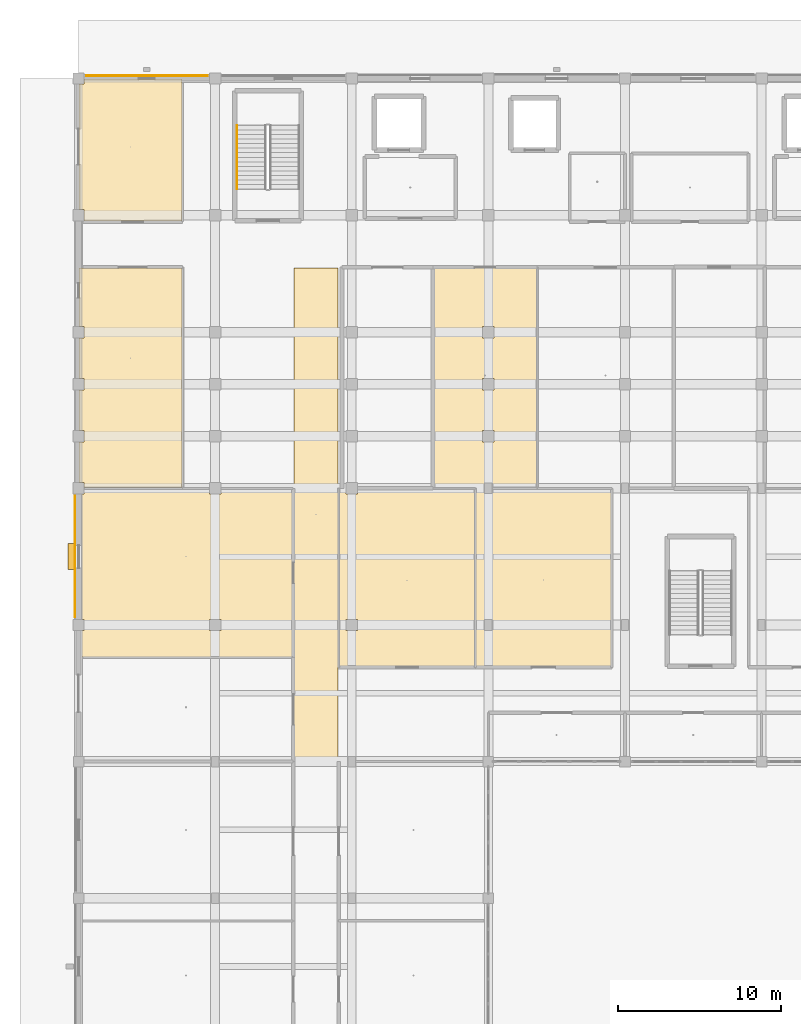
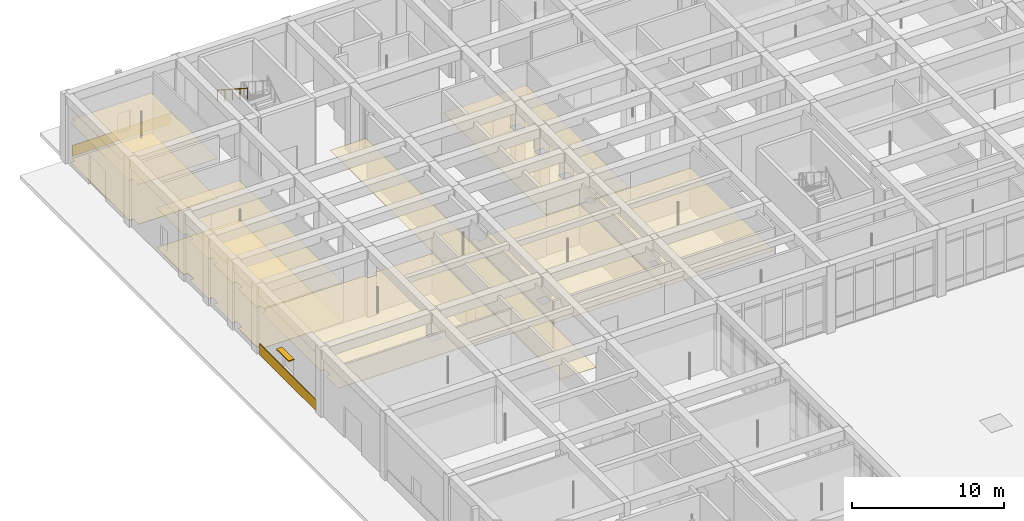
# One storey, part 149 of 167: 11 coverings, 1 railing, 1 shading device.
"""IFC4 building model written with IfcOpenShell, lengths in metres."""

from ifc_helpers import new_model, si_unit, direction, frame, origin, origin_2d, place, context, subcontext, project, spatial, polyline, rectangle, circle, outline, extrude, material, layer, layer_set, type_object, element, save


model = new_model("IFC4")

# Units and contexts
model_context = context("Model", 3, precision=1e-05, world=origin(), true_north=direction((0.0, 1.0)))
body_context = subcontext(model_context, "Body", "Model", "MODEL_VIEW")
ifc_project = project(units=[si_unit("LENGTHUNIT", "METRE"), si_unit("AREAUNIT", "SQUARE_METRE"), si_unit("VOLUMEUNIT", "CUBIC_METRE"), si_unit("PLANEANGLEUNIT", "RADIAN"), si_unit("MASSUNIT", "GRAM", prefix="KILO")], contexts=[model_context])

# Site, building, storey
site_placement = place(None, origin())
site = spatial("IfcSite", under=ifc_project, at=site_placement, CompositionType="ELEMENT")
building_placement = place(site_placement, origin())
building = spatial("IfcBuilding", under=site, at=building_placement, Name="Varncliffe General Hospital", CompositionType="ELEMENT")
storey_placement = place(building_placement, origin())
storey = spatial("IfcBuildingStorey", under=building, at=storey_placement, Name="L00", CompositionType="ELEMENT", Elevation=0.0)

# Coverings
ifc_material_1 = material(Name="Hygienic antimicrobial acoustic suspended ceiling tile", Category="gypsum")
ifc_layer_1 = layer(ifc_material_1, 0.02490234375)
ifc_layer_set_1 = layer_set([ifc_layer_1], Name="Hygienic antimicrobial acoustic suspended ceiling tile")
covering_type_1 = type_object("IfcCoveringType", Name="Antimicrobial Acoustic Suspended Ceiling CLG44", PredefinedType="CEILING", material=ifc_layer_set_1)
covering_1_placement = place(storey_placement, frame((0.0, 0.0, 3.175048828125)))
element("IfcCovering", 1, at=covering_1_placement, inside=storey, type_object=covering_type_1, Name="L00 West Link Corridor L00 Suspended Ceiling", PredefinedType="CEILING", context=body_context, shape_type="SweptSolid", body=[
    extrude(outline(polyline([(15.9599609375, 82.840087890625), (15.9599609375, 113.159912109375), (13.239990234375, 113.159912109375), (13.239990234375, 82.840087890625), (15.9599609375, 82.840087890625)])), origin(), (0.0, 0.0, 1.0), 0.02490234375),
])
covering_2_placement = place(storey_placement, frame((0.0, 0.0, 3.175048828125)))
element("IfcCovering", 2, at=covering_2_placement, inside=storey, type_object=covering_type_1, Name="L00 Diagnostic 3T MRI Imaging Suite 64 Suspended Ceiling", PredefinedType="CEILING", context=body_context, shape_type="SweptSolid", body=[
    extrude(outline(polyline([(24.360107421875, 99.56005859375), (24.360107421875, 88.639892578125), (16.0400390625, 88.639892578125), (16.0400390625, 99.56005859375), (16.449951171875, 99.56005859375), (16.449951171875, 99.25), (17.14990234375, 99.25), (17.14990234375, 99.56005859375), (24.360107421875, 99.56005859375)]), holes=[polyline([(17.14990234375, 90.85009765625), (17.14990234375, 91.550048828125), (16.449951171875, 91.550048828125), (16.449951171875, 90.85009765625), (17.14990234375, 90.85009765625)])]), origin(), (0.0, 0.0, 1.0), 0.02490234375),
])
covering_3_placement = place(storey_placement, frame((0.0, 0.0, 3.175048828125)))
element("IfcCovering", 3, at=covering_3_placement, inside=storey, type_object=covering_type_1, Name="L00 Dual-Source CT Radiology Room 65 Suspended Ceiling", PredefinedType="CEILING", context=body_context, shape_type="SweptSolid", body=[
    extrude(outline(polyline([(32.760009765625, 99.56005859375), (32.760009765625, 88.639892578125), (24.43994140625, 88.639892578125), (24.43994140625, 99.56005859375), (24.97509765625, 99.56005859375), (24.97509765625, 99.27490234375), (25.425048828125, 99.27490234375), (25.425048828125, 99.56005859375), (32.760009765625, 99.56005859375)]), holes=[polyline([(25.425048828125, 90.875), (25.425048828125, 91.52490234375), (24.97509765625, 91.52490234375), (24.97509765625, 90.875), (25.425048828125, 90.875)])]), origin(), (0.0, 0.0, 1.0), 0.02490234375),
])
covering_4_placement = place(storey_placement, frame((0.0, 0.0, 3.175048828125)))
element("IfcCovering", 4, at=covering_4_placement, inside=storey, type_object=covering_type_1, Name="L00 Outpatient Phlebotomy and Pre-Admission Clinic 114 Suspended Ceiling", PredefinedType="CEILING", context=body_context, shape_type="SweptSolid", body=[
    extrude(outline(polyline([(0.35009765625, 99.639892578125), (0.35009765625, 99.949951171875), (0.0400390625, 99.949951171875), (0.0400390625, 102.449951171875), (0.35009765625, 102.449951171875), (0.35009765625, 103.14990234375), (0.0400390625, 103.14990234375), (0.0400390625, 105.64990234375), (0.35009765625, 105.64990234375), (0.35009765625, 106.35009765625), (0.0400390625, 106.35009765625), (0.0400390625, 108.85009765625), (0.35009765625, 108.85009765625), (0.35009765625, 109.550048828125), (0.0400390625, 109.550048828125), (0.0400390625, 113.159912109375), (6.360107421875, 113.159912109375), (6.360107421875, 99.639892578125), (0.35009765625, 99.639892578125)])), origin(), (0.0, 0.0, 1.0), 0.02490234375),
])
covering_5_placement = place(storey_placement, frame((0.0, 0.0, 3.175048828125)))
element("IfcCovering", 5, at=covering_5_placement, inside=storey, type_object=covering_type_1, Name="L00 Outpatient Phlebotomy and Pre-Admission Clinic 116 Suspended Ceiling", PredefinedType="CEILING", context=body_context, shape_type="SweptSolid", body=[
    extrude(outline(polyline([(21.840087890625, 99.639892578125), (21.840087890625, 113.159912109375), (28.159912109375, 113.159912109375), (28.159912109375, 99.639892578125), (25.425048828125, 99.639892578125), (25.425048828125, 99.925048828125), (24.97509765625, 99.925048828125), (24.97509765625, 99.639892578125), (21.840087890625, 99.639892578125)]), holes=[polyline([(25.550048828125, 102.449951171875), (25.550048828125, 103.14990234375), (24.85009765625, 103.14990234375), (24.85009765625, 102.449951171875), (25.550048828125, 102.449951171875)]), polyline([(25.550048828125, 105.64990234375), (25.550048828125, 106.35009765625), (24.85009765625, 106.35009765625), (24.85009765625, 105.64990234375), (25.550048828125, 105.64990234375)]), polyline([(25.550048828125, 108.85009765625), (25.550048828125, 109.550048828125), (24.85009765625, 109.550048828125), (24.85009765625, 108.85009765625), (25.550048828125, 108.85009765625)])]), origin(), (0.0, 0.0, 1.0), 0.02490234375),
])
covering_6_placement = place(storey_placement, frame((0.0, 0.0, 3.175048828125)))
element("IfcCovering", 6, at=covering_6_placement, inside=storey, type_object=covering_type_1, Name="L00 Outpatient Phlebotomy and Pre-Admission Clinic 131 Suspended Ceiling", PredefinedType="CEILING", context=body_context, shape_type="SweptSolid", body=[
    extrude(outline(polyline([(6.360107421875, 124.760009765625), (6.360107421875, 116.0400390625), (0.0400390625, 116.0400390625), (0.0400390625, 116.050048828125), (0.35009765625, 116.050048828125), (0.35009765625, 116.75), (0.0400390625, 116.75), (0.0400390625, 124.449951171875), (0.35009765625, 124.449951171875), (0.35009765625, 124.760009765625), (6.360107421875, 124.760009765625)])), origin(), (0.0, 0.0, 1.0), 0.02490234375),
])
covering_7_placement = place(storey_placement, frame((0.0, 0.0, 3.175048828125)))
element("IfcCovering", 7, at=covering_7_placement, inside=storey, type_object=covering_type_1, Name="L00 Rehabilitation Ambulation Training Room 138 Suspended Ceiling", PredefinedType="CEILING", context=body_context, shape_type="SweptSolid", body=[
    extrude(outline(polyline([(13.159912109375, 89.239990234375), (0.0400390625, 89.239990234375), (0.0400390625, 90.85009765625), (0.35009765625, 90.85009765625), (0.35009765625, 91.550048828125), (0.0400390625, 91.550048828125), (0.0400390625, 99.25), (0.35009765625, 99.25), (0.35009765625, 99.56005859375), (8.050048828125, 99.56005859375), (8.050048828125, 99.25), (8.75, 99.25), (8.75, 99.56005859375), (13.159912109375, 99.56005859375), (13.159912109375, 89.239990234375)]), holes=[polyline([(8.75, 90.85009765625), (8.75, 91.550048828125), (8.050048828125, 91.550048828125), (8.050048828125, 90.85009765625), (8.75, 90.85009765625)])]), origin(), (0.0, 0.0, 1.0), 0.02490234375),
])

# Shading device
ifc_material_2 = material(Name="Dark bronze extruded aluminium solar jalousie louvres", Category="aluminium")
ifc_layer_2 = layer(ifc_material_2, 0.080078125)
ifc_layer_set_2 = layer_set([ifc_layer_2], Name="Dark bronze extruded aluminium solar jalousie louvres")
shading_device_type = type_object("IfcShadingDeviceType", Name="Bronze Solar Jalousie Louvre Hood SHD18", PredefinedType="JALOUSIE", material=ifc_layer_set_2)
shading_device_placement = place(storey_placement, frame((-0.4150390625, 95.39990234375, 2.31005859375), z_axis=(0.0, 0.0, 1.0), x_axis=(0.0, 1.0, 0.0)))
element("IfcShadingDevice", 8, at=shading_device_placement, inside=storey, type_object=shading_device_type, Name="L00 Bronze Window Sun-Shading Louvre 1", PredefinedType="JALOUSIE", context=body_context, shape_type="SweptSolid", body=[
    extrude(rectangle(XDim=1.60009765625, YDim=0.449951171875, at=origin_2d()), origin(), (0.0, 0.0, 1.0), 0.080078125),
])

# Coverings
ifc_material_3 = material(Name="Credit Valley buff limestone ashlar cladding", Category="masonry")
ifc_layer_3 = layer(ifc_material_3, 0.050048828125)
ifc_layer_set_3 = layer_set([ifc_layer_3], Name="Credit Valley buff limestone ashlar cladding")
covering_type_2 = type_object("IfcCoveringType", Name="Credit Valley Limestone Ashlar Plinth Cladding CLD17", PredefinedType="CLADDING", material=ifc_layer_set_3)
for number, where, z_axis, x_axis, name in (
    (9, (-0.215087890625, 95.39990234375, 0.010009765625), (0.0, 0.0, 1.0), (0.0, 1.0, 0.0), "L00 Limestone Base Cladding 6"),
    (10, (4.199951171875, 124.97998046875, 0.010009765625), (0.0, 0.0, 1.0), (1.0, 0.0, 0.0), "L00 Limestone Base Cladding 7"),
):
    element("IfcCovering", number, at=place(storey_placement, frame(where, z_axis=z_axis, x_axis=x_axis)), inside=storey, type_object=covering_type_2, Name=name, PredefinedType="CLADDING", context=body_context, shape_type="SweptSolid", body=[
        extrude(rectangle(XDim=7.464111328125, YDim=0.050048828125, at=origin_2d()), origin(), (0.0, 0.0, 1.0), 0.8798828125),
    ])
ifc_material_4 = material(Name="Seamless welded hospital sheet linoleum and terrazzo flooring", Category="linoleum")
ifc_layer_4 = layer(ifc_material_4, 0.011962890625)
ifc_layer_set_4 = layer_set([ifc_layer_4], Name="Seamless welded hospital sheet linoleum and terrazzo flooring")
covering_type_3 = type_object("IfcCoveringType", Name="Seamless Hospital Linoleum Flooring FLR19", PredefinedType="FLOORING", material=ifc_layer_set_4)
covering_8_placement = place(storey_placement, origin())
element("IfcCovering", 11, at=covering_8_placement, inside=storey, type_object=covering_type_3, Name="L00 Outpatient Phlebotomy and Pre-Admission Clinic 114 Seamless Flooring", PredefinedType="FLOORING", context=body_context, shape_type="SweptSolid", body=[
    extrude(outline(polyline([(0.35009765625, 99.639892578125), (0.35009765625, 99.949951171875), (0.0400390625, 99.949951171875), (0.0400390625, 102.449951171875), (0.35009765625, 102.449951171875), (0.35009765625, 103.14990234375), (0.0400390625, 103.14990234375), (0.0400390625, 105.64990234375), (0.35009765625, 105.64990234375), (0.35009765625, 106.35009765625), (0.0400390625, 106.35009765625), (0.0400390625, 108.85009765625), (0.35009765625, 108.85009765625), (0.35009765625, 109.550048828125), (0.0400390625, 109.550048828125), (0.0400390625, 113.159912109375), (6.360107421875, 113.159912109375), (6.360107421875, 99.639892578125), (0.35009765625, 99.639892578125)])), origin(), (0.0, 0.0, 1.0), 0.011962890625),
])
covering_9_placement = place(storey_placement, origin())
element("IfcCovering", 12, at=covering_9_placement, inside=storey, type_object=covering_type_3, Name="L00 Outpatient Phlebotomy and Pre-Admission Clinic 131 Seamless Flooring", PredefinedType="FLOORING", context=body_context, shape_type="SweptSolid", body=[
    extrude(outline(polyline([(6.360107421875, 124.760009765625), (6.360107421875, 116.0400390625), (0.0400390625, 116.0400390625), (0.0400390625, 116.050048828125), (0.35009765625, 116.050048828125), (0.35009765625, 116.75), (0.0400390625, 116.75), (0.0400390625, 124.449951171875), (0.35009765625, 124.449951171875), (0.35009765625, 124.760009765625), (6.360107421875, 124.760009765625)])), origin(), (0.0, 0.0, 1.0), 0.011962890625),
])

# Railing
ifc_material_5 = material(Name="Powder-coated hospital steel guardrail and handrail", Category="steel")
railing_type = type_object("IfcRailingType", Name="Stair and Ramp Handrail HR46", PredefinedType="HANDRAIL", material=ifc_material_5)
railing_placement = place(storey_placement, frame((9.75, 121.919921875, 3.06396484375)))
element("IfcRailing", 13, at=railing_placement, inside=storey, type_object=railing_type, Name="L00 ST01 stair handrail 2", PredefinedType="HANDRAIL", context=body_context, shape_type="SweptSolid", body=[
    extrude(circle(Radius=0.02392578125, at=origin_2d()), frame((0.0, 0.0, 0.8759765625), z_axis=(0.0, -0.841171666519, 0.540768182723), x_axis=(1.0, 0.0, 0.0)), (0.0, 0.0, 1.0), 4.66015625),
    extrude(circle(Radius=0.02099609375, at=origin_2d()), origin(), (0.0, 0.0, 1.0), 0.851806640625),
    extrude(circle(Radius=0.02099609375, at=origin_2d()), frame((0.0, -0.97998046875, 0.6298828125)), (0.0, 0.0, 1.0), 0.851806640625),
    extrude(circle(Radius=0.02099609375, at=origin_2d()), frame((0.0, -1.9599609375, 1.260009765625)), (0.0, 0.0, 1.0), 0.851806640625),
    extrude(circle(Radius=0.02099609375, at=origin_2d()), frame((0.0, -2.93994140625, 1.89013671875)), (0.0, 0.0, 1.0), 0.851806640625),
    extrude(circle(Radius=0.02099609375, at=origin_2d()), frame((0.0, -3.919921875, 2.52001953125)), (0.0, 0.0, 1.0), 0.851806640625),
])

save(model, "model.ifc")
